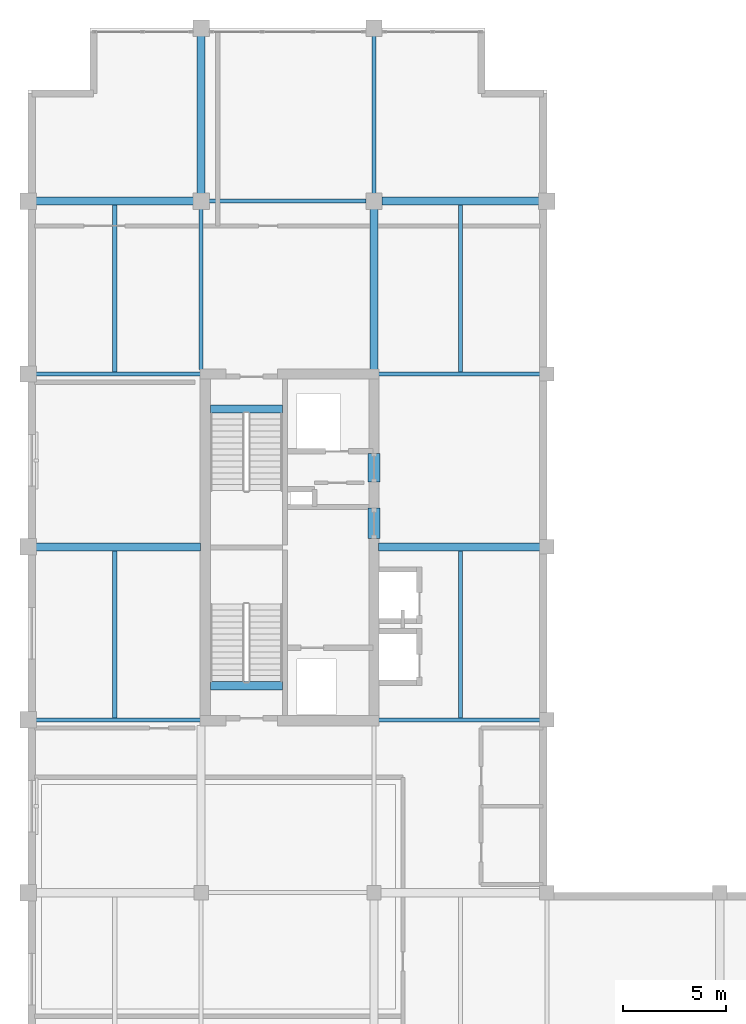
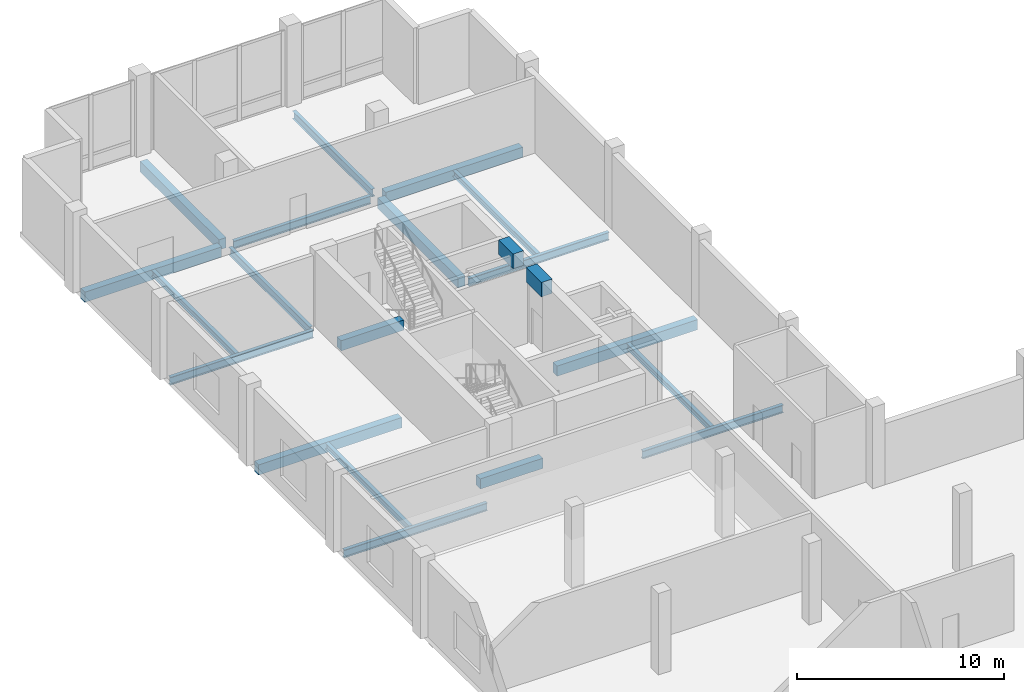
# One storey, part 5 of 18: 21 beams.
"""IFC4 building model written with IfcOpenShell, lengths in metres."""

from ifc_helpers import new_model, si_unit, direction, frame, origin, origin_2d, place, context, subcontext, project, spatial, rectangle, i_section, extrude, material, material_profile, profile_set, type_object, element, save


model = new_model("IFC4")

# Units and contexts
model_context = context("Model", 3, precision=1e-05, world=origin(), true_north=direction((0.0, 1.0)))
body_context = subcontext(model_context, "Body", "Model", "MODEL_VIEW")
ifc_project = project(units=[si_unit("LENGTHUNIT", "METRE"), si_unit("AREAUNIT", "SQUARE_METRE"), si_unit("VOLUMEUNIT", "CUBIC_METRE"), si_unit("PLANEANGLEUNIT", "RADIAN"), si_unit("MASSUNIT", "GRAM", prefix="KILO")], contexts=[model_context])

# Site, building, storey
site_placement = place(None, origin())
site = spatial("IfcSite", under=ifc_project, at=site_placement, CompositionType="ELEMENT")
building_placement = place(site_placement, origin())
building = spatial("IfcBuilding", under=site, at=building_placement, Name="Koriwani Terraces Tower", CompositionType="ELEMENT")
storey_placement = place(building_placement, frame((0.0, 0.0, 363.800048828125)))
storey = spatial("IfcBuildingStorey", under=building, at=storey_placement, Name="L90", CompositionType="ELEMENT", Elevation=363.800048828125)

# Beams
ifc_material_1 = material(Name="Concrete C50/60", Category="concrete")
ifc_material_profile_1 = material_profile(ifc_material_1, rectangle(XDim=0.60009765625, YDim=0.85009765625, at=origin_2d()), Name="Concrete C50/60", Category="LoadBearing")
ifc_profile_set_1 = profile_set([ifc_material_profile_1], Name="Concrete C50/60")
beam_type_1 = type_object("IfcBeamType", Name="BEAM_RC_COUPLING_600X850", PredefinedType="LINTEL", material=ifc_profile_set_1)
beam_1_placement = place(storey_placement, frame((25.199951171875, 50.800048828125, 4.02490234375), z_axis=(0.0, 1.0, 0.0), x_axis=(-1.0, 0.0, 0.0)))
element("IfcBeam", 1, at=beam_1_placement, inside=storey, type_object=beam_type_1, Name="L90 Core Coupling Lintel Beam WE1", PredefinedType="LINTEL", context=body_context, shape_type="SweptSolid", body=[
    extrude(rectangle(XDim=0.60009765625, YDim=0.85009765625, at=origin_2d()), origin(), (0.0, 0.0, 1.0), 1.47998046875),
])
beam_2_placement = place(storey_placement, frame((25.199951171875, 53.550048828125, 4.02490234375), z_axis=(0.0, 1.0, 0.0), x_axis=(-1.0, 0.0, 0.0)))
element("IfcBeam", 2, at=beam_2_placement, inside=storey, type_object=beam_type_1, Name="L90 Core Coupling Lintel Beam WE2", PredefinedType="LINTEL", context=body_context, shape_type="SweptSolid", body=[
    extrude(rectangle(XDim=0.60009765625, YDim=0.85009765625, at=origin_2d()), origin(), (0.0, 0.0, 1.0), 1.39990234375),
])
ifc_material_2 = material(Name="Concrete C40/50", Category="concrete")
ifc_material_profile_2 = material_profile(ifc_material_2, rectangle(XDim=0.39990234375, YDim=0.60009765625, at=origin_2d()), Name="Concrete C40/50", Category="LoadBearing")
ifc_profile_set_2 = profile_set([ifc_material_profile_2], Name="Concrete C40/50")
beam_type_2 = type_object("IfcBeamType", Name="BEAM_RC_GRID_400X600", PredefinedType="BEAM", material=ifc_profile_set_2)
for number, where, z_axis, x_axis, name in (
    (3, (17.25, 43.655029296875, -0.300048828125), (1.0, 0.0, 0.0), (0.0, 1.0, 0.0), "L90 Stairwell Header Trimmer Beam ST-W1"),
    (4, (17.25, 57.094970703125, -0.300048828125), (1.0, 0.0, 0.0), (0.0, 1.0, 0.0), "L90 Stairwell Header Trimmer Beam ST-W2"),
):
    element("IfcBeam", number, at=place(storey_placement, frame(where, z_axis=z_axis, x_axis=x_axis)), inside=storey, type_object=beam_type_2, Name=name, PredefinedType="BEAM", context=body_context, shape_type="SweptSolid", body=[
        extrude(rectangle(XDim=0.39990234375, YDim=0.60009765625, at=origin_2d()), origin(), (0.0, 0.0, 1.0), 3.5),
    ])
beam_3_placement = place(storey_placement, frame((8.780029296875, 50.39990234375, -0.60009765625), z_axis=(1.0, 0.0, 0.0), x_axis=(0.0, 1.0, 0.0)))
element("IfcBeam", 5, at=beam_3_placement, inside=storey, type_object=beam_type_2, Name="L90 Grid Beam G (8.4-16.8m)", PredefinedType="BEAM", context=body_context, shape_type="SweptSolid", body=[
    extrude(rectangle(XDim=0.39990234375, YDim=0.60009765625, at=origin_2d()), origin(), (0.0, 0.0, 1.0), 7.989990234375),
])
beam_4_placement = place(storey_placement, frame((25.429931640625, 50.39990234375, -0.60009765625), z_axis=(1.0, 0.0, 0.0), x_axis=(0.0, 1.0, 0.0)))
element("IfcBeam", 6, at=beam_4_placement, inside=storey, type_object=beam_type_2, Name="L90 Grid Beam G (25.2-33.6m)", PredefinedType="BEAM", context=body_context, shape_type="SweptSolid", body=[
    extrude(rectangle(XDim=0.39990234375, YDim=0.60009765625, at=origin_2d()), origin(), (0.0, 0.0, 1.0), 7.840087890625),
])
for number, where, z_axis, x_axis, name in (
    (7, (8.780029296875, 67.199951171875, -0.60009765625), (1.0, 0.0, 0.0), (0.0, 1.0, 0.0), "L90 Grid Beam I (8.4-16.8m)"),
    (8, (25.580078125, 67.199951171875, -0.60009765625), (1.0, 0.0, 0.0), (0.0, 1.0, 0.0), "L90 Grid Beam I (25.2-33.6m)"),
    (9, (16.800048828125, 67.580078125, -0.60009765625), (0.0, 1.0, 0.0), (-1.0, 0.0, 0.0), "L90 Grid Beam 3 (67.2-75.6m)"),
):
    element("IfcBeam", number, at=place(storey_placement, frame(where, z_axis=z_axis, x_axis=x_axis)), inside=storey, type_object=beam_type_2, Name=name, PredefinedType="BEAM", context=body_context, shape_type="SweptSolid", body=[
        extrude(rectangle(XDim=0.39990234375, YDim=0.60009765625, at=origin_2d()), origin(), (0.0, 0.0, 1.0), 7.639892578125),
    ])
beam_5_placement = place(storey_placement, frame((25.199951171875, 59.030029296875, -0.60009765625), z_axis=(0.0, 1.0, 0.0), x_axis=(-1.0, 0.0, 0.0)))
element("IfcBeam", 10, at=beam_5_placement, inside=storey, type_object=beam_type_2, Name="L90 Grid Beam 4 (58.8-67.2m)", PredefinedType="BEAM", context=body_context, shape_type="SweptSolid", body=[
    extrude(rectangle(XDim=0.39990234375, YDim=0.60009765625, at=origin_2d()), origin(), (0.0, 0.0, 1.0), 7.7900390625),
])
ifc_material_3 = material(Name="Steel ASTM A572 Grade 50", Category="steel")
ifc_material_profile_3 = material_profile(ifc_material_3, i_section(OverallWidth=0.205078125, OverallDepth=0.35400390625, WebThickness=0.009521484375, FlangeThickness=0.016845703125, at=origin_2d()), Name="Steel ASTM A572 Grade 50", Category="LoadBearing")
ifc_profile_set_3 = profile_set([ifc_material_profile_3], Name="Steel ASTM A572 Grade 50")
beam_type_3 = type_object("IfcBeamType", Name="STEEL_BEAM_W360X79", PredefinedType="JOIST", material=ifc_profile_set_3)
for number, where, z_axis, x_axis, name in (
    (11, (12.60009765625, 42.08642578125, -0.47705078125), (0.0, 1.0, 0.0), (-1.0, 0.0, 0.0), "L90 Secondary Steel Floor Joist X=12.6m"),
    (12, (12.60009765625, 58.886474609375, -0.47705078125), (0.0, 1.0, 0.0), (-1.0, 0.0, 0.0), "L90 Secondary Steel Floor Joist X=12.6m"),
    (13, (29.39990234375, 42.08642578125, -0.47705078125), (0.0, 1.0, 0.0), (-1.0, 0.0, 0.0), "L90 Secondary Steel Floor Joist X=29.4m"),
    (14, (29.39990234375, 58.886474609375, -0.47705078125), (0.0, 1.0, 0.0), (-1.0, 0.0, 0.0), "L90 Secondary Steel Floor Joist X=29.4m"),
):
    element("IfcBeam", number, at=place(storey_placement, frame(where, z_axis=z_axis, x_axis=x_axis)), inside=storey, type_object=beam_type_3, Name=name, PredefinedType="JOIST", context=body_context, shape_type="SweptSolid", body=[
        extrude(i_section(OverallWidth=0.205078125, OverallDepth=0.35400390625, WebThickness=0.009521484375, FlangeThickness=0.016845703125, at=origin_2d()), origin(), (0.0, 0.0, 1.0), 8.12353515625),
    ])
ifc_material_profile_4 = material_profile(ifc_material_3, i_section(OverallWidth=0.193115234375, OverallDepth=0.462890625, WebThickness=0.0107421875, FlangeThickness=0.017333984375, at=origin_2d()), Name="Steel ASTM A572 Grade 50", Category="LoadBearing")
ifc_profile_set_4 = profile_set([ifc_material_profile_4], Name="Steel ASTM A572 Grade 50")
beam_type_4 = type_object("IfcBeamType", Name="STEEL_BEAM_W460X113", PredefinedType="BEAM", material=ifc_profile_set_4)
beam_6_placement = place(storey_placement, frame((8.780029296875, 42.0, -0.531494140625), z_axis=(1.0, 0.0, 0.0), x_axis=(0.0, 1.0, 0.0)))
element("IfcBeam", 15, at=beam_6_placement, inside=storey, type_object=beam_type_4, Name="L90 Grid Beam F (8.4-16.8m)", PredefinedType="BEAM", context=body_context, shape_type="SweptSolid", body=[
    extrude(i_section(OverallWidth=0.193115234375, OverallDepth=0.462890625, WebThickness=0.0107421875, FlangeThickness=0.017333984375, at=origin_2d()), origin(), (0.0, 0.0, 1.0), 7.989990234375),
])
beam_7_placement = place(storey_placement, frame((25.429931640625, 42.0, -0.531494140625), z_axis=(1.0, 0.0, 0.0), x_axis=(0.0, 1.0, 0.0)))
element("IfcBeam", 16, at=beam_7_placement, inside=storey, type_object=beam_type_4, Name="L90 Grid Beam F (25.2-33.6m)", PredefinedType="BEAM", context=body_context, shape_type="SweptSolid", body=[
    extrude(i_section(OverallWidth=0.193115234375, OverallDepth=0.462890625, WebThickness=0.0107421875, FlangeThickness=0.017333984375, at=origin_2d()), origin(), (0.0, 0.0, 1.0), 7.840087890625),
])
beam_8_placement = place(storey_placement, frame((8.780029296875, 58.800048828125, -0.531494140625), z_axis=(1.0, 0.0, 0.0), x_axis=(0.0, 1.0, 0.0)))
element("IfcBeam", 17, at=beam_8_placement, inside=storey, type_object=beam_type_4, Name="L90 Grid Beam H (8.4-16.8m)", PredefinedType="BEAM", context=body_context, shape_type="SweptSolid", body=[
    extrude(i_section(OverallWidth=0.193115234375, OverallDepth=0.462890625, WebThickness=0.0107421875, FlangeThickness=0.017333984375, at=origin_2d()), origin(), (0.0, 0.0, 1.0), 7.989990234375),
])
beam_9_placement = place(storey_placement, frame((25.429931640625, 58.800048828125, -0.531494140625), z_axis=(1.0, 0.0, 0.0), x_axis=(0.0, 1.0, 0.0)))
element("IfcBeam", 18, at=beam_9_placement, inside=storey, type_object=beam_type_4, Name="L90 Grid Beam H (25.2-33.6m)", PredefinedType="BEAM", context=body_context, shape_type="SweptSolid", body=[
    extrude(i_section(OverallWidth=0.193115234375, OverallDepth=0.462890625, WebThickness=0.0107421875, FlangeThickness=0.017333984375, at=origin_2d()), origin(), (0.0, 0.0, 1.0), 7.840087890625),
])
beam_10_placement = place(storey_placement, frame((17.179931640625, 67.199951171875, -0.531494140625), z_axis=(1.0, 0.0, 0.0), x_axis=(0.0, 1.0, 0.0)))
element("IfcBeam", 19, at=beam_10_placement, inside=storey, type_object=beam_type_4, Name="L90 Grid Beam I (16.8-25.2m)", PredefinedType="BEAM", context=body_context, shape_type="SweptSolid", body=[
    extrude(i_section(OverallWidth=0.193115234375, OverallDepth=0.462890625, WebThickness=0.0107421875, FlangeThickness=0.017333984375, at=origin_2d()), origin(), (0.0, 0.0, 1.0), 7.64013671875),
])
beam_11_placement = place(storey_placement, frame((16.800048828125, 59.030029296875, -0.531494140625), z_axis=(0.0, 1.0, 0.0), x_axis=(-1.0, 0.0, 0.0)))
element("IfcBeam", 20, at=beam_11_placement, inside=storey, type_object=beam_type_4, Name="L90 Grid Beam 3 (58.8-67.2m)", PredefinedType="BEAM", context=body_context, shape_type="SweptSolid", body=[
    extrude(i_section(OverallWidth=0.193115234375, OverallDepth=0.462890625, WebThickness=0.0107421875, FlangeThickness=0.017333984375, at=origin_2d()), origin(), (0.0, 0.0, 1.0), 7.7900390625),
])
beam_12_placement = place(storey_placement, frame((25.199951171875, 67.580078125, -0.531494140625), z_axis=(0.0, 1.0, 0.0), x_axis=(-1.0, 0.0, 0.0)))
element("IfcBeam", 21, at=beam_12_placement, inside=storey, type_object=beam_type_4, Name="L90 Grid Beam 4 (67.2-75.6m)", PredefinedType="BEAM", context=body_context, shape_type="SweptSolid", body=[
    extrude(i_section(OverallWidth=0.193115234375, OverallDepth=0.462890625, WebThickness=0.0107421875, FlangeThickness=0.017333984375, at=origin_2d()), origin(), (0.0, 0.0, 1.0), 7.639892578125),
])

save(model, "model.ifc")
